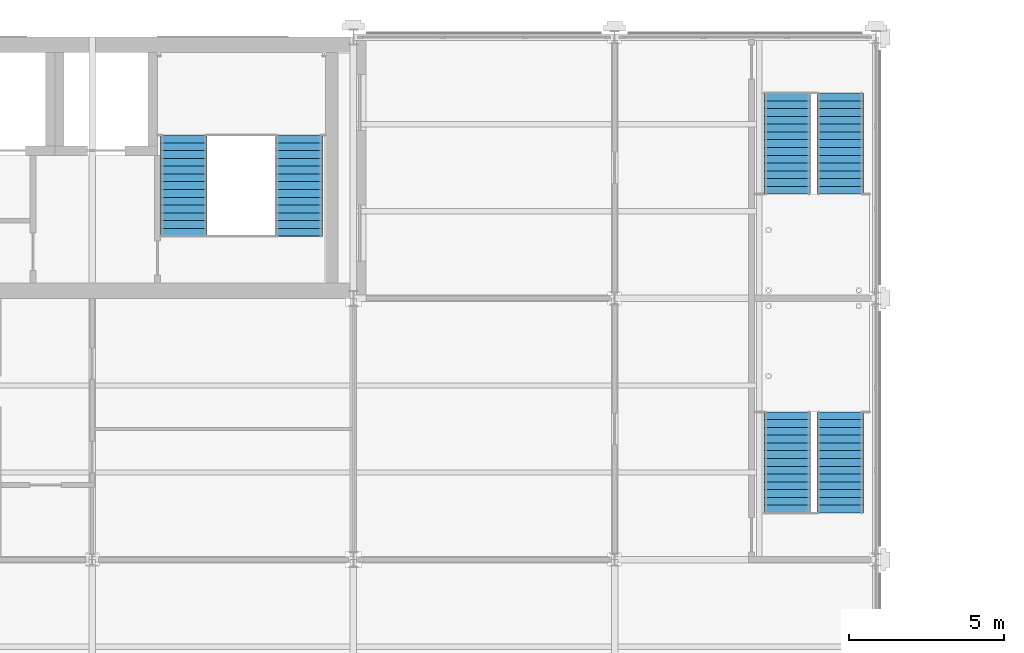
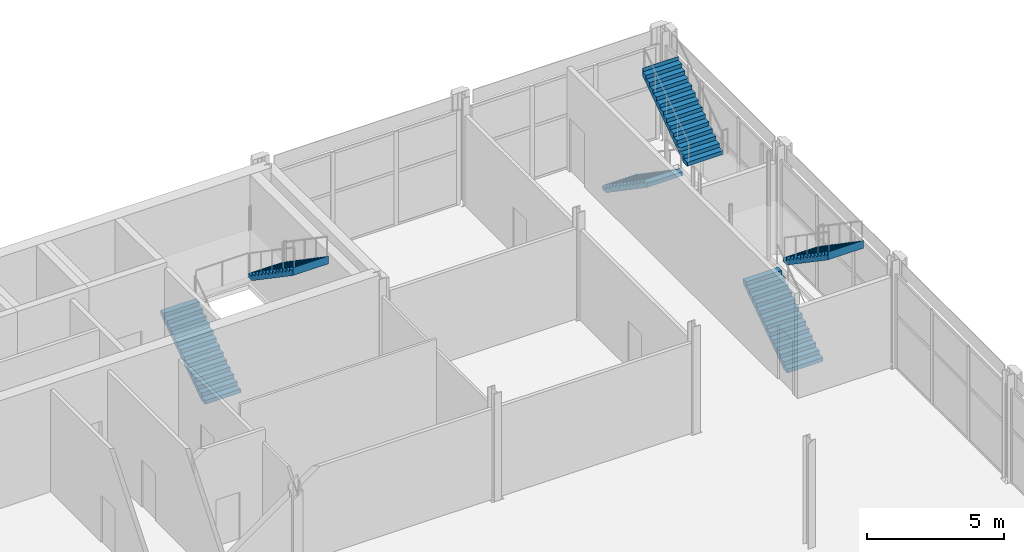
# One storey, part 157 of 167: 6 stair flights, 3 elements without a shape of their own.
"""IFC4 building model written with IfcOpenShell, lengths in metres."""

from ifc_helpers import new_model, si_unit, direction, frame, origin, place, context, subcontext, project, spatial, polyline, outline, extrude, material, type_object, element, aggregate, save


model = new_model("IFC4")

# Units and contexts
model_context = context("Model", 3, precision=1e-05, world=origin(), true_north=direction((0.0, 1.0)))
body_context = subcontext(model_context, "Body", "Model", "MODEL_VIEW")
ifc_project = project(units=[si_unit("LENGTHUNIT", "METRE"), si_unit("AREAUNIT", "SQUARE_METRE"), si_unit("VOLUMEUNIT", "CUBIC_METRE"), si_unit("PLANEANGLEUNIT", "RADIAN"), si_unit("MASSUNIT", "GRAM", prefix="KILO")], contexts=[model_context])

# Site, building, storey
site_placement = place(None, origin())
site = spatial("IfcSite", under=ifc_project, at=site_placement, CompositionType="ELEMENT")
building_placement = place(site_placement, origin())
building = spatial("IfcBuilding", under=site, at=building_placement, Name="Catenary Quay Ferry Terminal", CompositionType="ELEMENT")
storey_placement = place(building_placement, frame((0.0, 0.0, 6.0)))
storey = spatial("IfcBuildingStorey", under=building, at=storey_placement, Name="L01", CompositionType="ELEMENT", Elevation=6.0)

# Stair, stair flights
ifc_material_1 = material(Name="Concrete C35/45", Category="concrete")
stair_type = type_object("IfcStairType", Name="STX1500", PredefinedType="HALF_TURN_STAIR", material=ifc_material_1)
stair_1_placement = place(storey_placement, origin())
stair_1 = element("IfcStair", 1, at=stair_1_placement, inside=storey, type_object=stair_type, Name="Stair HS1 L01 to L02", PredefinedType="HALF_TURN_STAIR")
ifc_material_2 = material(Name="Concrete C35/45", Category="concrete")
stair_flight_type = type_object("IfcStairFlightType", Name="SFX1500", PredefinedType="STRAIGHT", material=ifc_material_2)
stair_flight_1_placement = place(storey_placement, frame((44.949951171875, 203.60009765625, 0.0), z_axis=(0.0, 0.0, 1.0), x_axis=(0.0, 1.0, 0.0)))
stair_flight_1 = element("IfcStairFlight", 2, at=stair_flight_1_placement, type_object=stair_flight_type, Name="HS1-L01 flight 1", NumberOfRisers=14, NumberOfTreads=13, PredefinedType="STRAIGHT", RiserHeight=0.171428571, TreadLength=0.25, context=body_context, shape_type="SweptSolid", body=[
    extrude(outline(polyline([(-0.010009765625, 0.0), (-0.010009765625, 0.0244140625), (-0.010009765625, 0.049072265625), (-0.010009765625, 0.073486328125), (-0.010009765625, 0.097900390625), (-0.010009765625, 0.12255859375), (-0.010009765625, 0.14697265625), (-0.010009765625, 0.17138671875), (0.0, 0.17138671875), (0.25, 0.17138671875), (0.25, 0.3427734375), (0.5, 0.3427734375), (0.5, 0.514404296875), (0.75, 0.514404296875), (0.75, 0.685791015625), (1.0, 0.685791015625), (1.0, 0.857177734375), (1.25, 0.857177734375), (1.25, 1.028564453125), (1.5, 1.028564453125), (1.5, 1.199951171875), (1.75, 1.199951171875), (1.75, 1.371337890625), (2.0, 1.371337890625), (2.0, 1.54296875), (2.25, 1.54296875), (2.25, 1.71435546875), (2.5, 1.71435546875), (2.5, 1.8857421875), (2.75, 1.8857421875), (2.75, 2.05712890625), (3.0, 2.05712890625), (3.0, 2.228515625), (3.25, 2.228515625), (3.25, 2.39990234375), (3.25, 2.349609375), (3.25, 2.299072265625), (3.25, 2.24853515625), (3.25, 2.1982421875), (3.25, 2.147705078125), (3.25, 2.09716796875), (3.25, 2.046875), (0.26513671875, 0.0), (-0.010009765625, 0.0)])), frame((0.0, 0.75, 0.0), z_axis=(0.0, -1.0, 0.0), x_axis=(1.0, 0.0, 0.0)), (0.0, 0.0, 1.0), 1.5),
])
stair_flight_2_placement = place(storey_placement, frame((48.64990234375, 206.85009765625, 2.39990234375), z_axis=(0.0, 0.0, 1.0), x_axis=(0.0, -1.0, 0.0)))
stair_flight_2 = element("IfcStairFlight", 3, at=stair_flight_2_placement, type_object=stair_flight_type, Name="HS1-L01 flight 2", NumberOfRisers=14, NumberOfTreads=13, PredefinedType="STRAIGHT", RiserHeight=0.171428571, TreadLength=0.25, context=body_context, shape_type="SweptSolid", body=[
    extrude(outline(polyline([(0.0, 0.0), (0.0, 0.0244140625), (0.0, 0.049072265625), (0.0, 0.073486328125), (0.0, 0.097900390625), (0.0, 0.12255859375), (0.0, 0.14697265625), (0.0, 0.17138671875), (0.25, 0.17138671875), (0.25, 0.3427734375), (0.5, 0.3427734375), (0.5, 0.514404296875), (0.75, 0.514404296875), (0.75, 0.685791015625), (1.0, 0.685791015625), (1.0, 0.857177734375), (1.25, 0.857177734375), (1.25, 1.028564453125), (1.5, 1.028564453125), (1.5, 1.199951171875), (1.75, 1.199951171875), (1.75, 1.371337890625), (2.0, 1.371337890625), (2.0, 1.54296875), (2.25, 1.54296875), (2.25, 1.71435546875), (2.5, 1.71435546875), (2.5, 1.8857421875), (2.75, 1.8857421875), (2.75, 2.05712890625), (3.0, 2.05712890625), (3.0, 2.228515625), (3.25, 2.228515625), (3.25, 2.39990234375), (3.260009765625, 2.39990234375), (3.260009765625, 2.349609375), (3.260009765625, 2.299072265625), (3.260009765625, 2.24853515625), (3.260009765625, 2.1982421875), (3.260009765625, 2.147705078125), (3.260009765625, 2.09716796875), (3.260009765625, 2.046875), (0.26513671875, 0.0), (0.0, 0.0)])), frame((0.0, 0.75, 0.0), z_axis=(0.0, -1.0, 0.0), x_axis=(1.0, 0.0, 0.0)), (0.0, 0.0, 1.0), 1.5),
])
aggregate(stair_1, [stair_flight_1, stair_flight_2])

stair_2_placement = place(storey_placement, origin())
stair_2 = element("IfcStair", 4, at=stair_2_placement, inside=storey, type_object=stair_type, Name="Stair HS4 L01 to L02", PredefinedType="HALF_TURN_STAIR")
stair_flight_3_placement = place(storey_placement, frame((64.35009765625, 194.699951171875, 0.0), z_axis=(0.0, 0.0, 1.0), x_axis=(0.0, 1.0, 0.0)))
stair_flight_3 = element("IfcStairFlight", 5, at=stair_flight_3_placement, type_object=stair_flight_type, Name="HS4-L01 flight 1", NumberOfRisers=14, NumberOfTreads=13, PredefinedType="STRAIGHT", RiserHeight=0.171428571, TreadLength=0.25, context=body_context, shape_type="SweptSolid", body=[
    extrude(outline(polyline([(-0.010009765625, 0.0), (-0.010009765625, 0.0244140625), (-0.010009765625, 0.049072265625), (-0.010009765625, 0.073486328125), (-0.010009765625, 0.097900390625), (-0.010009765625, 0.12255859375), (-0.010009765625, 0.14697265625), (-0.010009765625, 0.17138671875), (0.0, 0.17138671875), (0.25, 0.17138671875), (0.25, 0.3427734375), (0.5, 0.3427734375), (0.5, 0.514404296875), (0.75, 0.514404296875), (0.75, 0.685791015625), (1.0, 0.685791015625), (1.0, 0.857177734375), (1.25, 0.857177734375), (1.25, 1.028564453125), (1.5, 1.028564453125), (1.5, 1.199951171875), (1.75, 1.199951171875), (1.75, 1.371337890625), (2.0, 1.371337890625), (2.0, 1.54296875), (2.25, 1.54296875), (2.25, 1.71435546875), (2.5, 1.71435546875), (2.5, 1.8857421875), (2.75, 1.8857421875), (2.75, 2.05712890625), (3.0, 2.05712890625), (3.0, 2.228515625), (3.25, 2.228515625), (3.25, 2.39990234375), (3.25, 2.349609375), (3.25, 2.299072265625), (3.25, 2.24853515625), (3.25, 2.1982421875), (3.25, 2.147705078125), (3.25, 2.09716796875), (3.25, 2.046875), (0.26513671875, 0.0), (-0.010009765625, 0.0)])), frame((0.0, 0.75, 0.0), z_axis=(0.0, -1.0, 0.0), x_axis=(1.0, 0.0, 0.0)), (0.0, 0.0, 1.0), 1.5),
])
stair_flight_4_placement = place(storey_placement, frame((66.050048828125, 197.949951171875, 2.39990234375), z_axis=(0.0, 0.0, 1.0), x_axis=(0.0, -1.0, 0.0)))
stair_flight_4 = element("IfcStairFlight", 6, at=stair_flight_4_placement, type_object=stair_flight_type, Name="HS4-L01 flight 2", NumberOfRisers=14, NumberOfTreads=13, PredefinedType="STRAIGHT", RiserHeight=0.171428571, TreadLength=0.25, context=body_context, shape_type="SweptSolid", body=[
    extrude(outline(polyline([(0.0, 0.0), (0.0, 0.0244140625), (0.0, 0.049072265625), (0.0, 0.073486328125), (0.0, 0.097900390625), (0.0, 0.12255859375), (0.0, 0.14697265625), (0.0, 0.17138671875), (0.25, 0.17138671875), (0.25, 0.3427734375), (0.5, 0.3427734375), (0.5, 0.514404296875), (0.75, 0.514404296875), (0.75, 0.685791015625), (1.0, 0.685791015625), (1.0, 0.857177734375), (1.25, 0.857177734375), (1.25, 1.028564453125), (1.5, 1.028564453125), (1.5, 1.199951171875), (1.75, 1.199951171875), (1.75, 1.371337890625), (2.0, 1.371337890625), (2.0, 1.54296875), (2.25, 1.54296875), (2.25, 1.71435546875), (2.5, 1.71435546875), (2.5, 1.8857421875), (2.75, 1.8857421875), (2.75, 2.05712890625), (3.0, 2.05712890625), (3.0, 2.228515625), (3.25, 2.228515625), (3.25, 2.39990234375), (3.260009765625, 2.39990234375), (3.260009765625, 2.349609375), (3.260009765625, 2.299072265625), (3.260009765625, 2.24853515625), (3.260009765625, 2.1982421875), (3.260009765625, 2.147705078125), (3.260009765625, 2.09716796875), (3.260009765625, 2.046875), (0.26513671875, 0.0), (0.0, 0.0)])), frame((0.0, 0.75, 0.0), z_axis=(0.0, -1.0, 0.0), x_axis=(1.0, 0.0, 0.0)), (0.0, 0.0, 1.0), 1.5),
])
aggregate(stair_2, [stair_flight_3, stair_flight_4])

stair_3_placement = place(storey_placement, origin())
stair_3 = element("IfcStair", 7, at=stair_3_placement, inside=storey, type_object=stair_type, Name="Stair HS5 L01 to L02", PredefinedType="HALF_TURN_STAIR")
stair_flight_5_placement = place(storey_placement, frame((64.35009765625, 208.199951171875, 0.0), z_axis=(0.0, 0.0, 1.0), x_axis=(0.0, -1.0, 0.0)))
stair_flight_5 = element("IfcStairFlight", 8, at=stair_flight_5_placement, type_object=stair_flight_type, Name="HS5-L01 flight 1", NumberOfRisers=14, NumberOfTreads=13, PredefinedType="STRAIGHT", RiserHeight=0.171428571, TreadLength=0.25, context=body_context, shape_type="SweptSolid", body=[
    extrude(outline(polyline([(-0.010009765625, 0.0), (-0.010009765625, 0.0244140625), (-0.010009765625, 0.049072265625), (-0.010009765625, 0.073486328125), (-0.010009765625, 0.097900390625), (-0.010009765625, 0.12255859375), (-0.010009765625, 0.14697265625), (-0.010009765625, 0.17138671875), (0.0, 0.17138671875), (0.25, 0.17138671875), (0.25, 0.3427734375), (0.5, 0.3427734375), (0.5, 0.514404296875), (0.75, 0.514404296875), (0.75, 0.685791015625), (1.0, 0.685791015625), (1.0, 0.857177734375), (1.25, 0.857177734375), (1.25, 1.028564453125), (1.5, 1.028564453125), (1.5, 1.199951171875), (1.75, 1.199951171875), (1.75, 1.371337890625), (2.0, 1.371337890625), (2.0, 1.54296875), (2.25, 1.54296875), (2.25, 1.71435546875), (2.5, 1.71435546875), (2.5, 1.8857421875), (2.75, 1.8857421875), (2.75, 2.05712890625), (3.0, 2.05712890625), (3.0, 2.228515625), (3.25, 2.228515625), (3.25, 2.39990234375), (3.25, 2.349609375), (3.25, 2.299072265625), (3.25, 2.24853515625), (3.25, 2.1982421875), (3.25, 2.147705078125), (3.25, 2.09716796875), (3.25, 2.046875), (0.26513671875, 0.0), (-0.010009765625, 0.0)])), frame((0.0, 0.75, 0.0), z_axis=(0.0, -1.0, 0.0), x_axis=(1.0, 0.0, 0.0)), (0.0, 0.0, 1.0), 1.5),
])
stair_flight_6_placement = place(storey_placement, frame((66.050048828125, 204.949951171875, 2.39990234375), z_axis=(0.0, 0.0, 1.0), x_axis=(0.0, 1.0, 0.0)))
stair_flight_6 = element("IfcStairFlight", 9, at=stair_flight_6_placement, type_object=stair_flight_type, Name="HS5-L01 flight 2", NumberOfRisers=14, NumberOfTreads=13, PredefinedType="STRAIGHT", RiserHeight=0.171428571, TreadLength=0.25, context=body_context, shape_type="SweptSolid", body=[
    extrude(outline(polyline([(0.0, 0.0), (0.0, 0.0244140625), (0.0, 0.049072265625), (0.0, 0.073486328125), (0.0, 0.097900390625), (0.0, 0.12255859375), (0.0, 0.14697265625), (0.0, 0.17138671875), (0.25, 0.17138671875), (0.25, 0.3427734375), (0.5, 0.3427734375), (0.5, 0.514404296875), (0.75, 0.514404296875), (0.75, 0.685791015625), (1.0, 0.685791015625), (1.0, 0.857177734375), (1.25, 0.857177734375), (1.25, 1.028564453125), (1.5, 1.028564453125), (1.5, 1.199951171875), (1.75, 1.199951171875), (1.75, 1.371337890625), (2.0, 1.371337890625), (2.0, 1.54296875), (2.25, 1.54296875), (2.25, 1.71435546875), (2.5, 1.71435546875), (2.5, 1.8857421875), (2.75, 1.8857421875), (2.75, 2.05712890625), (3.0, 2.05712890625), (3.0, 2.228515625), (3.25, 2.228515625), (3.25, 2.39990234375), (3.260009765625, 2.39990234375), (3.260009765625, 2.349609375), (3.260009765625, 2.299072265625), (3.260009765625, 2.24853515625), (3.260009765625, 2.1982421875), (3.260009765625, 2.147705078125), (3.260009765625, 2.09716796875), (3.260009765625, 2.046875), (0.26513671875, 0.0), (0.0, 0.0)])), frame((0.0, 0.75, 0.0), z_axis=(0.0, -1.0, 0.0), x_axis=(1.0, 0.0, 0.0)), (0.0, 0.0, 1.0), 1.5),
])
aggregate(stair_3, [stair_flight_5, stair_flight_6])

save(model, "model.ifc")
